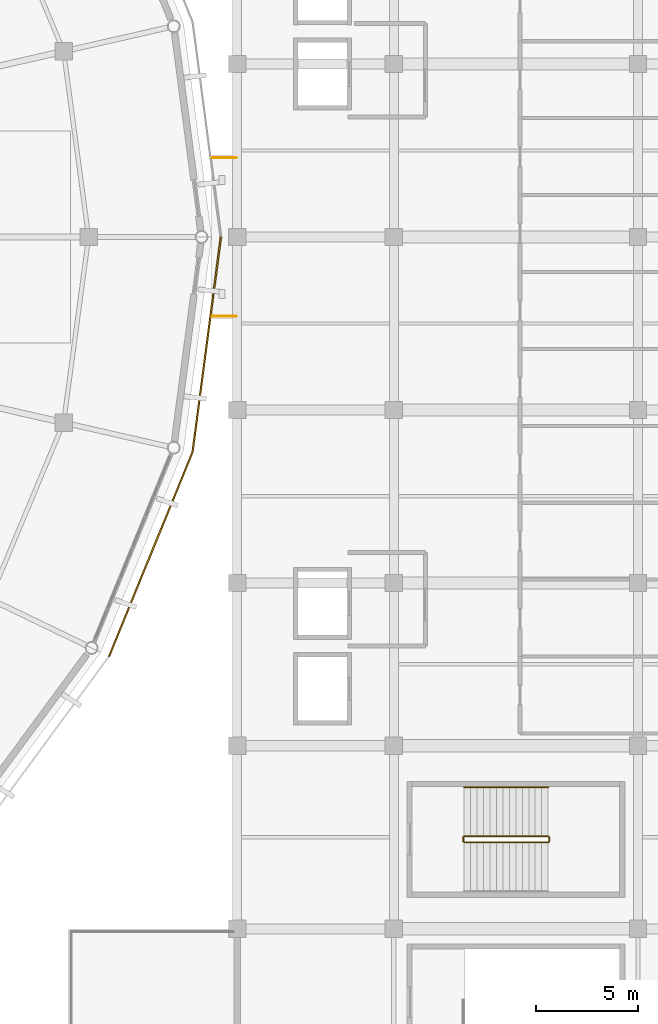
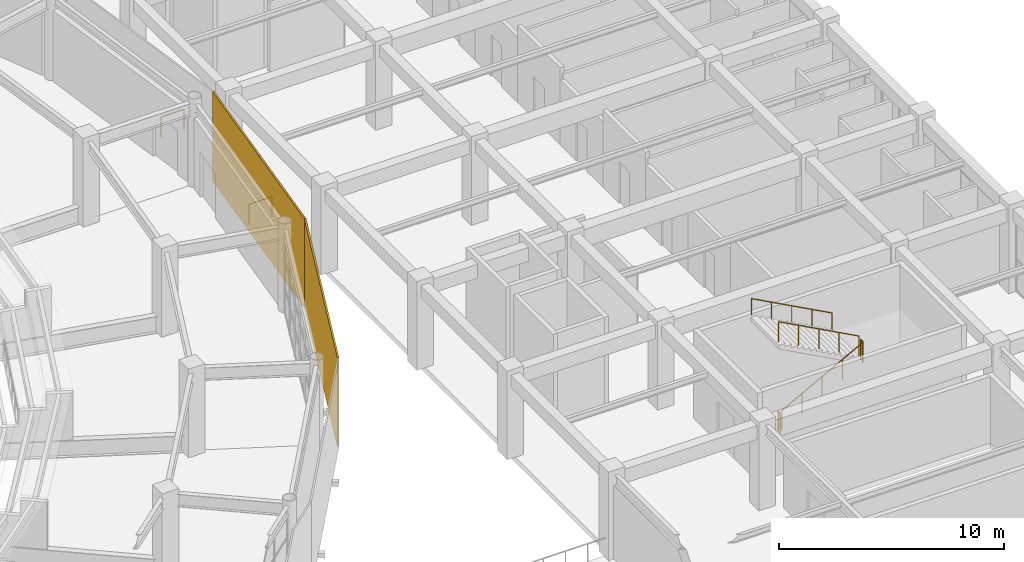
# One storey, part 119 of 122: 7 railings, 2 coverings.
"""IFC4 building model written with IfcOpenShell, lengths in metres."""

import ifcopenshell
import ifcopenshell.guid

model = None  # the IFC model being written
_history = None  # IfcOwnerHistory: only IFC2X3 demands one
_inside = {}  # id of a spatial element -> (the spatial element, [elements in it])
_under = {}  # id of a project, library or spatial element -> (it, [spatial elements below it])
_declared = {}  # id of a project -> (the project, [libraries it declares])
_typed = {}  # id of a type object -> (the type object, [elements of that type])
_made_of = {}  # id of a material, layer set ... -> (it, [elements and type objects made of it])


def new_model(schema):
    """Start an empty IFC model of exactly this schema.

    Asked for "IFC4X3", IfcOpenShell would pick the latest addendum, in which some entities
    have other attributes; the version numbers below select the first issue.
    IFC2X3 requires an IfcOwnerHistory on every rooted entity: one is made here for all.
    """
    global model, _history
    if schema == "IFC4X3":
        model = ifcopenshell.file(schema_version=(4, 3, 0, 0))
    else:
        model = ifcopenshell.file(schema=schema)
    _inside.clear()
    _under.clear()
    _declared.clear()
    _typed.clear()
    _made_of.clear()
    _history = None
    if model.schema == "IFC2X3":
        org = make("IfcOrganization", Name="unknown")
        user = make(
            "IfcPersonAndOrganization",
            ThePerson=make("IfcPerson", FamilyName="unknown"),
            TheOrganization=org,
        )
        app = make(
            "IfcApplication",
            ApplicationDeveloper=org,
            Version="unknown",
            ApplicationFullName="unknown",
            ApplicationIdentifier="unknown",
        )
        _history = make(
            "IfcOwnerHistory",
            OwningUser=user,
            OwningApplication=app,
            ChangeAction="ADDED",
            CreationDate=0,
        )
    return model


def make(cls, **values):
    """One entity of the class cls with the attributes given. An attribute that is None is left unset."""
    return model.create_entity(
        cls, **{name: value for name, value in values.items() if value is not None}
    )


def rooted(cls, **values):
    """An entity with a GlobalId (a new one), such as an element, a storey or a relation."""
    return make(cls, GlobalId=ifcopenshell.guid.new(), OwnerHistory=_history, **values)


def si_unit(unit_type, name, prefix=None):
    """IfcSIUnit, for example si_unit("LENGTHUNIT", "METRE", prefix="MILLI")."""
    return make("IfcSIUnit", UnitType=unit_type, Prefix=prefix, Name=name)


def assignment(units):
    """IfcUnitAssignment: the units of a project."""
    return None if units is None else make("IfcUnitAssignment", Units=units)


def point(xyz):
    """IfcCartesianPoint."""
    return None if xyz is None else make("IfcCartesianPoint", Coordinates=xyz)


def direction(xyz):
    """IfcDirection."""
    return None if xyz is None else make("IfcDirection", DirectionRatios=xyz)


def frame(location, z_axis=None, x_axis=None):
    """IfcAxis2Placement3D, a coordinate frame: its origin and axes. An axis left out is left unset."""
    return make(
        "IfcAxis2Placement3D",
        Location=point(location),
        Axis=direction(z_axis),
        RefDirection=direction(x_axis),
    )


def frame_2d(location, x_axis=None):
    """IfcAxis2Placement2D, a coordinate frame in the plane: its origin and x axis."""
    return make(
        "IfcAxis2Placement2D", Location=point(location), RefDirection=direction(x_axis)
    )


def origin():
    """The frame at (0, 0, 0) with its axes left unset."""
    return frame((0.0, 0.0, 0.0))


def origin_2d():
    """The frame at (0, 0) in the plane with its x axis left unset."""
    return frame_2d((0.0, 0.0))


def place(relative_to, where):
    """IfcLocalPlacement: puts the frame where relative to a parent placement (None: the world)."""
    return make(
        "IfcLocalPlacement", PlacementRelTo=relative_to, RelativePlacement=where
    )


def context(
    kind, dimensions, precision=None, world=None, true_north=None, identifier=None
):
    """IfcGeometricRepresentationContext, for example the 3D "Model" context."""
    return make(
        "IfcGeometricRepresentationContext",
        ContextIdentifier=identifier,
        ContextType=kind,
        CoordinateSpaceDimension=dimensions,
        Precision=precision,
        WorldCoordinateSystem=world,
        TrueNorth=true_north,
    )


def subcontext(parent, identifier, kind, view, scale=None):
    """IfcGeometricRepresentationSubContext, for example "Body" below "Model"."""
    return make(
        "IfcGeometricRepresentationSubContext",
        ContextIdentifier=identifier,
        ContextType=kind,
        ParentContext=parent,
        TargetScale=scale,
        TargetView=view,
    )


def project(units=None, contexts=None):
    """IfcProject with its units and contexts."""
    return rooted(
        "IfcProject",
        Name="project",
        RepresentationContexts=contexts,
        UnitsInContext=assignment(units),
    )


def spatial(cls, under=None, at=None, **own):
    """A site, building, storey or space (cls), placed at a placement, below another one or the project."""
    s = rooted(cls, ObjectPlacement=at, **own)
    if under is not None:
        _under.setdefault(under.id(), (under, []))[1].append(s)
    return s


def profile(cls, at=None, kind="AREA", **sizes):
    """A parametric profile (cls). Its sizes go by their IFC names, for example OverallWidth=200.0."""
    return make(cls, ProfileType=kind, Position=at, **sizes)


def rectangle(**sizes):
    """IfcRectangleProfileDef."""
    return profile("IfcRectangleProfileDef", **sizes)


def circle(**sizes):
    """IfcCircleProfileDef."""
    return profile("IfcCircleProfileDef", **sizes)


def extrude(swept, where, along, depth):
    """IfcExtrudedAreaSolid: the profile swept, set in the frame where, extruded along a direction by depth."""
    return make(
        "IfcExtrudedAreaSolid",
        SweptArea=swept,
        Position=where,
        ExtrudedDirection=direction(along),
        Depth=depth,
    )


def shape(context_of_items, identifier, shape_type, items):
    """IfcShapeRepresentation: the items that make up one representation, for example the "Body"."""
    return make(
        "IfcShapeRepresentation",
        ContextOfItems=context_of_items,
        RepresentationIdentifier=identifier,
        RepresentationType=shape_type,
        Items=items,
    )


def material(Name=None, Category=None):
    """IfcMaterial."""
    return make("IfcMaterial", Name=Name, Category=Category)


def layer(
    of_material, thickness, ventilated=None, Name=None, Category=None, Priority=None
):
    """IfcMaterialLayer: one layer of a wall or slab, of a material (None: an air gap)."""
    return make(
        "IfcMaterialLayer",
        Material=of_material,
        LayerThickness=thickness,
        IsVentilated=ventilated,
        Name=Name,
        Category=Category,
        Priority=Priority,
    )


def layer_set(layers, Name=None):
    """IfcMaterialLayerSet."""
    return make("IfcMaterialLayerSet", MaterialLayers=layers, LayerSetName=Name)


def made_of(thing, what):
    """Note that an element or type object is made of a material, layer set ...; save() writes the relation."""
    if what is not None:
        _made_of.setdefault(what.id(), (what, []))[1].append(thing)
    return thing


def type_object(cls, material=None, **own):
    """A type object (cls), such as IfcWallType, which elements share."""
    return made_of(rooted(cls, **own), material)


def element(
    cls,
    number,
    at=None,
    inside=None,
    cuts=None,
    type_object=None,
    material=None,
    context=None,
    identifier="Body",
    shape_type=None,
    held_by="IfcProductDefinitionShape",
    body=None,
    shapes=None,
    **own,
):
    """One element of the class cls, such as IfcWall. Its Tag is "e" and its number.

    at: its placement. inside: the storey or other place that contains it. cuts: it is an
    opening in that element (IfcRelVoidsElement). A single representation is given by context,
    identifier, shape_type and body (its items); several are given by shapes. held_by: the class
    of the entity that holds the representations. save() writes the other relations.
    """
    e = rooted(cls, Tag="e%d" % number, ObjectPlacement=at, **own)
    if body is not None:
        shapes = [shape(context, identifier, shape_type, body)]
    if shapes is not None:
        e.Representation = make(held_by, Representations=shapes)
    if inside is not None:
        _inside.setdefault(inside.id(), (inside, []))[1].append(e)
    if cuts is not None:
        rooted(
            "IfcRelVoidsElement", RelatingBuildingElement=cuts, RelatedOpeningElement=e
        )
    if type_object is not None:
        _typed.setdefault(type_object.id(), (type_object, []))[1].append(e)
    return made_of(e, material)


def aggregate(whole, parts):
    """IfcRelAggregates: a whole, such as a stair, and the parts it consists of."""
    return rooted("IfcRelAggregates", RelatingObject=whole, RelatedObjects=parts)


def save(model, path):
    """Write the relations noted so far, then the file.

    IfcRelAggregates (storeys below a building ...), IfcRelContainedInSpatialStructure (elements
    in a storey), IfcRelDefinesByType, IfcRelAssociatesMaterial and IfcRelDeclares: one each for
    every whole, place, type object, material and project.
    """
    for whole, parts in _under.values():
        aggregate(whole, parts)
    for where, things in _inside.values():
        rooted(
            "IfcRelContainedInSpatialStructure",
            RelatedElements=things,
            RelatingStructure=where,
        )
    for kind, things in _typed.values():
        rooted("IfcRelDefinesByType", RelatedObjects=things, RelatingType=kind)
    for what, things in _made_of.values():
        rooted("IfcRelAssociatesMaterial", RelatedObjects=things, RelatingMaterial=what)
    for by, libraries in _declared.values():
        rooted("IfcRelDeclares", RelatingContext=by, RelatedDefinitions=libraries)
    model.write(path)


model = new_model("IFC4")

# Units and contexts
model_context = context("Model", 3, precision=1e-05, world=origin(), true_north=direction((0.0, 1.0)))
body_context = subcontext(model_context, "Body", "Model", "MODEL_VIEW")
ifc_project = project(units=[si_unit("LENGTHUNIT", "METRE"), si_unit("AREAUNIT", "SQUARE_METRE"), si_unit("VOLUMEUNIT", "CUBIC_METRE"), si_unit("PLANEANGLEUNIT", "RADIAN"), si_unit("MASSUNIT", "GRAM", prefix="KILO")], contexts=[model_context])

# Site, building, storey
site_placement = place(None, origin())
site = spatial("IfcSite", under=ifc_project, at=site_placement, CompositionType="ELEMENT")
building_placement = place(site_placement, origin())
building = spatial("IfcBuilding", under=site, at=building_placement, Name="Cuetzalor Civic Arena", CompositionType="ELEMENT")
storey_placement = place(building_placement, frame((0.0, 0.0, 16.199951171875)))
storey = spatial("IfcBuildingStorey", under=building, at=storey_placement, Name="L03", CompositionType="ELEMENT", Elevation=16.199951171875)

# Railings
ifc_material_1 = material(Name="Reseda-green architectural Steel S355 balustrade", Category="steel")
railing_type_1 = type_object("IfcRailingType", Name="InteriorVoidBalustrade_1100", PredefinedType="BALUSTRADE", material=ifc_material_1)
railing_1_placement = place(storey_placement, frame((67.449951171875, -29.75, 0.17138671875)))
element("IfcRailing", 1, at=railing_1_placement, inside=storey, type_object=railing_type_1, Name="L03 ST-21 stair guard 1", PredefinedType="BALUSTRADE", context=body_context, shape_type="SweptSolid", body=[
    extrude(circle(Radius=0.02392578125, at=origin_2d()), frame((0.0, 0.0, 1.0810546875), z_axis=(0.880227283719, 0.0, 0.474552345897), x_axis=(0.0, 1.0, 0.0)), (0.0, 0.0, 1.0), 4.696533203125),
    extrude(circle(Radius=0.02099609375, at=origin_2d()), origin(), (0.0, 0.0, 1.0), 1.056884765625),
    extrude(circle(Radius=0.02099609375, at=origin_2d()), frame((1.033447265625, 0.0, 0.55712890625)), (0.0, 0.0, 1.0), 1.056884765625),
    extrude(circle(Radius=0.02099609375, at=origin_2d()), frame((2.06689453125, 0.0, 1.1142578125)), (0.0, 0.0, 1.0), 1.056884765625),
    extrude(circle(Radius=0.02099609375, at=origin_2d()), frame((3.1005859375, 0.0, 1.671630859375)), (0.0, 0.0, 1.0), 1.056884765625),
    extrude(circle(Radius=0.02099609375, at=origin_2d()), frame((4.134033203125, 0.0, 2.228759765625)), (0.0, 0.0, 1.0), 1.056884765625),
])
railing_2_placement = place(storey_placement, frame((71.634033203125, -29.699951171875, 2.400146484375)))
element("IfcRailing", 2, at=railing_2_placement, inside=storey, type_object=railing_type_1, Name="L03 ST-21 stair guard 2", PredefinedType="BALUSTRADE", context=body_context, shape_type="SweptSolid", body=[
    extrude(circle(Radius=0.02392578125, at=origin_2d()), frame((0.0, 0.0, 1.0810546875), z_axis=(0.0, 1.0, 0.0), x_axis=(-1.0, 0.0, 0.0)), (0.0, 0.0, 1.0), 0.199951171875),
    extrude(circle(Radius=0.02099609375, at=origin_2d()), origin(), (0.0, 0.0, 1.0), 1.056884765625),
    extrude(circle(Radius=0.02099609375, at=origin_2d()), frame((0.0, 0.199951171875, 0.0)), (0.0, 0.0, 1.0), 1.056884765625),
])
railing_3_placement = place(storey_placement, frame((71.583984375, -29.449951171875, 2.571533203125)))
element("IfcRailing", 3, at=railing_3_placement, inside=storey, type_object=railing_type_1, Name="L03 ST-21 stair guard 3", PredefinedType="BALUSTRADE", context=body_context, shape_type="SweptSolid", body=[
    extrude(circle(Radius=0.02392578125, at=origin_2d()), frame((0.0, 0.0, 1.0810546875), z_axis=(-0.880248997335, 0.0, 0.474512068014), x_axis=(0.0, -1.0, 0.0)), (0.0, 0.0, 1.0), 4.696533203125),
    extrude(circle(Radius=0.02099609375, at=origin_2d()), origin(), (0.0, 0.0, 1.0), 1.056884765625),
    extrude(circle(Radius=0.02099609375, at=origin_2d()), frame((-1.033447265625, 0.0, 0.55712890625)), (0.0, 0.0, 1.0), 1.056884765625),
    extrude(circle(Radius=0.02099609375, at=origin_2d()), frame((-2.06689453125, 0.0, 1.1142578125)), (0.0, 0.0, 1.0), 1.056884765625),
    extrude(circle(Radius=0.02099609375, at=origin_2d()), frame((-3.1005859375, 0.0, 1.67138671875)), (0.0, 0.0, 1.0), 1.056884765625),
    extrude(circle(Radius=0.02099609375, at=origin_2d()), frame((-4.134033203125, 0.0, 2.228515625)), (0.0, 0.0, 1.0), 1.056884765625),
])
railing_4_placement = place(storey_placement, frame((67.39990234375, -29.699951171875, 0.0)))
element("IfcRailing", 4, at=railing_4_placement, inside=storey, type_object=railing_type_1, Name="L03 ST-21 stair guard 4", PredefinedType="BALUSTRADE", context=body_context, shape_type="SweptSolid", body=[
    extrude(circle(Radius=0.02392578125, at=origin_2d()), frame((0.0, 0.0, 1.0810546875), z_axis=(0.0, 1.0, 0.0), x_axis=(-1.0, 0.0, 0.0)), (0.0, 0.0, 1.0), 0.199951171875),
    extrude(circle(Radius=0.02099609375, at=origin_2d()), origin(), (0.0, 0.0, 1.0), 1.056884765625),
    extrude(circle(Radius=0.02099609375, at=origin_2d()), frame((0.0, 0.199951171875, 0.0)), (0.0, 0.0, 1.0), 1.056884765625),
])
for number, where, name in (
    (5, (55.080078125, -3.89990234375, 0.0), "Seismic Bridge Balustrade V4E L03 S"),
    (6, (55.080078125, 3.89990234375, 0.0), "Seismic Bridge Balustrade V4E L03 N"),
):
    element("IfcRailing", number, at=place(storey_placement, frame(where)), inside=storey, type_object=railing_type_1, Name=name, PredefinedType="BALUSTRADE", context=body_context, shape_type="SweptSolid", body=[
        extrude(circle(Radius=0.02392578125, at=origin_2d()), frame((0.0, 0.0, 1.076171875), z_axis=(1.0, 0.0, 0.0), x_axis=(0.0, 1.0, 0.0)), (0.0, 0.0, 1.0), 1.169921875),
        extrude(circle(Radius=0.02099609375, at=origin_2d()), origin(), (0.0, 0.0, 1.0), 1.052001953125),
        extrude(circle(Radius=0.02099609375, at=origin_2d()), frame((1.169921875, 0.0, 0.0)), (0.0, 0.0, 1.0), 1.052001953125),
    ])
ifc_material_2 = material(Name="Galvanised steel S355", Category="steel")
railing_type_2 = type_object("IfcRailingType", Name="StairPitchHandrail_900", PredefinedType="HANDRAIL", material=ifc_material_2)
railing_5_placement = place(storey_placement, frame((71.583984375, -27.050048828125, 2.571533203125)))
element("IfcRailing", 7, at=railing_5_placement, inside=storey, type_object=railing_type_2, Name="L03 ST-21 stair handrail 2", PredefinedType="HANDRAIL", context=body_context, shape_type="SweptSolid", body=[
    extrude(circle(Radius=0.02392578125, at=origin_2d()), frame((0.0, 0.0, 0.8759765625), z_axis=(-0.880248997335, 0.0, 0.474512068014), x_axis=(0.0, -1.0, 0.0)), (0.0, 0.0, 1.0), 4.696533203125),
    extrude(circle(Radius=0.02099609375, at=origin_2d()), origin(), (0.0, 0.0, 1.0), 0.851806640625),
    extrude(circle(Radius=0.02099609375, at=origin_2d()), frame((-1.033447265625, 0.0, 0.55712890625)), (0.0, 0.0, 1.0), 0.851806640625),
    extrude(circle(Radius=0.02099609375, at=origin_2d()), frame((-2.06689453125, 0.0, 1.1142578125)), (0.0, 0.0, 1.0), 0.851806640625),
    extrude(circle(Radius=0.02099609375, at=origin_2d()), frame((-3.1005859375, 0.0, 1.67138671875)), (0.0, 0.0, 1.0), 0.851806640625),
    extrude(circle(Radius=0.02099609375, at=origin_2d()), frame((-4.134033203125, 0.0, 2.228515625)), (0.0, 0.0, 1.0), 0.851806640625),
])

# Coverings
ifc_material_3 = material(Name="Terracotta-red perforated anodised aluminium panel", Category="masonry")
ifc_layer = layer(ifc_material_3, 0.080078125)
ifc_layer_set = layer_set([ifc_layer], Name="Terracotta-red perforated anodised aluminium panel")
covering_type = type_object("IfcCoveringType", Name="TerracottaPerforatedScreenPanel", PredefinedType="CLADDING", material=ifc_layer_set)
covering_1_placement = place(storey_placement, frame((54.1083984375, -10.569580078125, -0.139892578125), z_axis=(0.0, 0.0, 1.0), x_axis=(-0.378411973316, -0.925637282336, 0.0)))
element("IfcCovering", 8, at=covering_1_placement, inside=storey, type_object=covering_type, Name="Terracotta Perforated Drum Screen L03-S27", PredefinedType="CLADDING", context=body_context, shape_type="SweptSolid", body=[
    extrude(rectangle(XDim=10.8466796875, YDim=0.080078125, at=frame_2d((5.42333984375, 0.0))), origin(), (0.0, 0.0, 1.0), 4.81982421875),
])
covering_2_placement = place(storey_placement, frame((55.5, 0.0, -0.139892578125), z_axis=(0.0, 0.0, 1.0), x_axis=(-0.130534485624, -0.991443769491, 0.0)))
element("IfcCovering", 9, at=covering_2_placement, inside=storey, type_object=covering_type, Name="Terracotta Perforated Drum Screen L03-S28", PredefinedType="CLADDING", context=body_context, shape_type="SweptSolid", body=[
    extrude(rectangle(XDim=10.660888671875, YDim=0.080078125, at=frame_2d((5.33056640625, 0.0))), origin(), (0.0, 0.0, 1.0), 4.81982421875),
])

save(model, "model.ifc")
